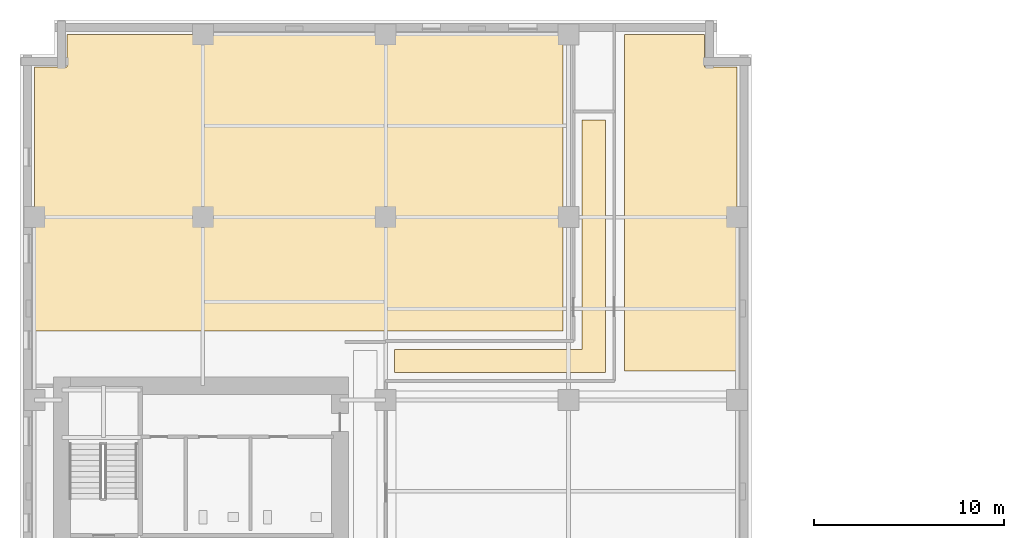
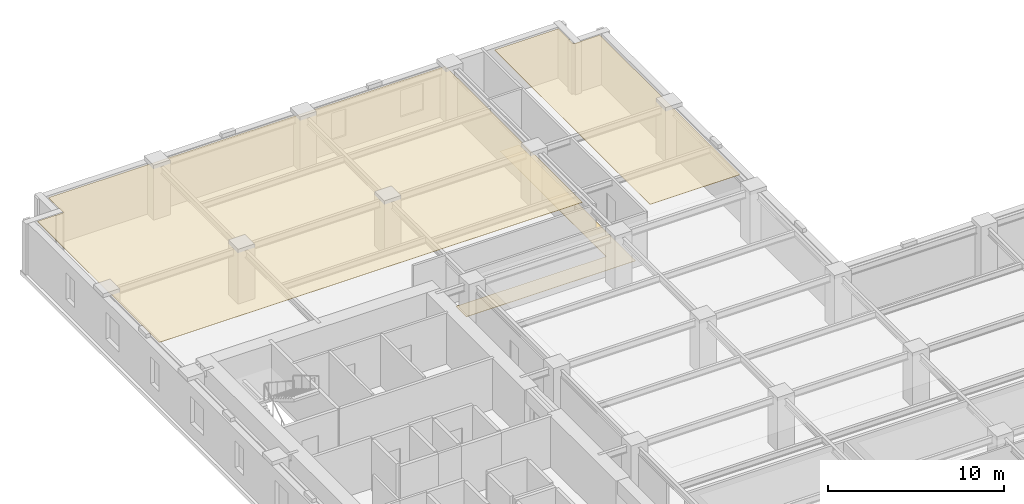
# One storey, part 12 of 13: 3 coverings.
"""IFC4 building model written with IfcOpenShell, lengths in metres."""

from ifc_helpers import new_model, si_unit, direction, frame, origin, place, context, subcontext, project, spatial, polyline, outline, extrude, material, layer, layer_set, type_object, element, save


model = new_model("IFC4")

# Units and contexts
model_context = context("Model", 3, precision=1e-05, world=origin(), true_north=direction((0.0, 1.0)))
body_context = subcontext(model_context, "Body", "Model", "MODEL_VIEW")
ifc_project = project(units=[si_unit("LENGTHUNIT", "METRE"), si_unit("AREAUNIT", "SQUARE_METRE"), si_unit("VOLUMEUNIT", "CUBIC_METRE"), si_unit("PLANEANGLEUNIT", "RADIAN"), si_unit("MASSUNIT", "GRAM", prefix="KILO")], contexts=[model_context])

# Site, building, storey
site_placement = place(None, origin())
site = spatial("IfcSite", under=ifc_project, at=site_placement, CompositionType="ELEMENT")
building_placement = place(site_placement, origin())
building = spatial("IfcBuilding", under=site, at=building_placement, Name="Norrvale University Quadrangle", CompositionType="ELEMENT")
storey_placement = place(building_placement, frame((0.0, 0.0, 81.199951171875)))
storey = spatial("IfcBuildingStorey", under=building, at=storey_placement, Name="L20", CompositionType="ELEMENT", Elevation=81.199951171875)

# Coverings
ifc_material_1 = material(Name="Perforated Acoustic Mineral Ceiling")
ifc_layer_1 = layer(ifc_material_1, 0.02490234375, Name="Perforated Acoustic Mineral Ceiling")
ifc_layer_set_1 = layer_set([ifc_layer_1], Name="Perforated Acoustic Mineral Ceiling")
covering_type_1 = type_object("IfcCoveringType", Name="Covering Acoustic Ceiling 25", PredefinedType="CEILING", material=ifc_layer_set_1)
covering_1_placement = place(storey_placement, frame((0.0, 0.0, 3.51513671875)))
element("IfcCovering", 1, at=covering_1_placement, inside=storey, type_object=covering_type_1, Name="Acoustic Ceiling RM-L20-NE01", PredefinedType="CEILING", context=body_context, shape_type="SweptSolid", body=[
    extrude(outline(polyline([(37.64990234375, 48.780029296875), (31.72998046875, 48.780029296875), (31.72998046875, 66.449951171875), (35.929931640625, 66.449951171875), (35.929931640625, 64.72998046875), (37.64990234375, 64.72998046875), (37.64990234375, 48.780029296875)])), origin(), (0.0, 0.0, 1.0), 0.02490234375),
])
covering_2_placement = place(storey_placement, frame((0.0, 0.0, 3.51513671875)))
element("IfcCovering", 2, at=covering_2_placement, inside=storey, type_object=covering_type_1, Name="Acoustic Ceiling RM-L20-NW01", PredefinedType="CEILING", context=body_context, shape_type="SweptSolid", body=[
    extrude(outline(polyline([(28.52001953125, 66.449951171875), (28.52001953125, 50.8798828125), (0.75, 50.8798828125), (0.75, 64.72998046875), (2.469970703125, 64.72998046875), (2.469970703125, 66.449951171875), (28.52001953125, 66.449951171875)])), origin(), (0.0, 0.0, 1.0), 0.02490234375),
])
ifc_material_2 = material(Name="Polished Terrazzo Flooring")
ifc_layer_2 = layer(ifc_material_2, 0.02490234375, Name="Polished Terrazzo Flooring")
ifc_layer_set_2 = layer_set([ifc_layer_2], Name="Polished Terrazzo Flooring")
covering_type_2 = type_object("IfcCoveringType", Name="Covering Terrazzo Floor 30", PredefinedType="FLOORING", material=ifc_layer_set_2)
covering_3_placement = place(storey_placement, origin())
element("IfcCovering", 3, at=covering_3_placement, inside=storey, type_object=covering_type_2, Name="Terrazzo Flooring RM-L20-NCJOG", PredefinedType="FLOORING", context=body_context, shape_type="SweptSolid", body=[
    extrude(outline(polyline([(19.64990234375, 48.699951171875), (19.64990234375, 49.89990234375), (29.5, 49.89990234375), (29.5, 61.949951171875), (30.75, 61.949951171875), (30.75, 48.699951171875), (19.64990234375, 48.699951171875)])), origin(), (0.0, 0.0, 1.0), 0.025146484375),
])

save(model, "model.ifc")
